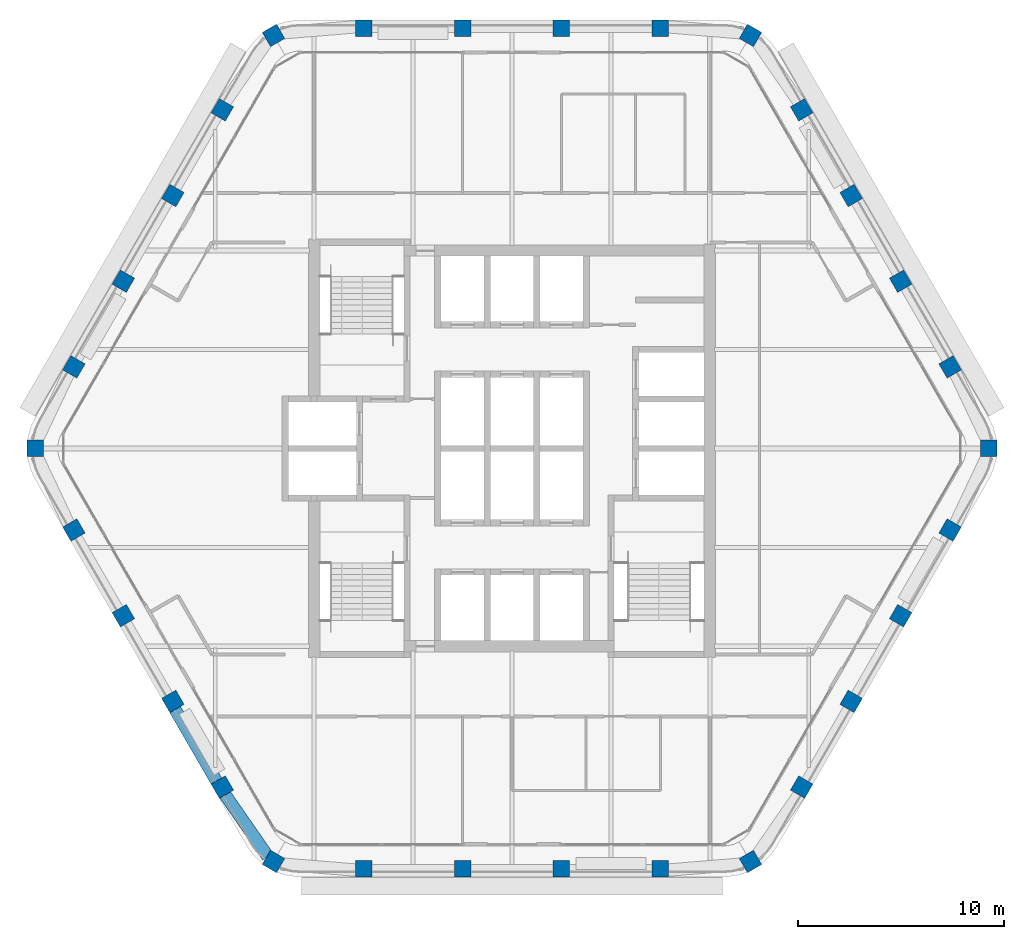
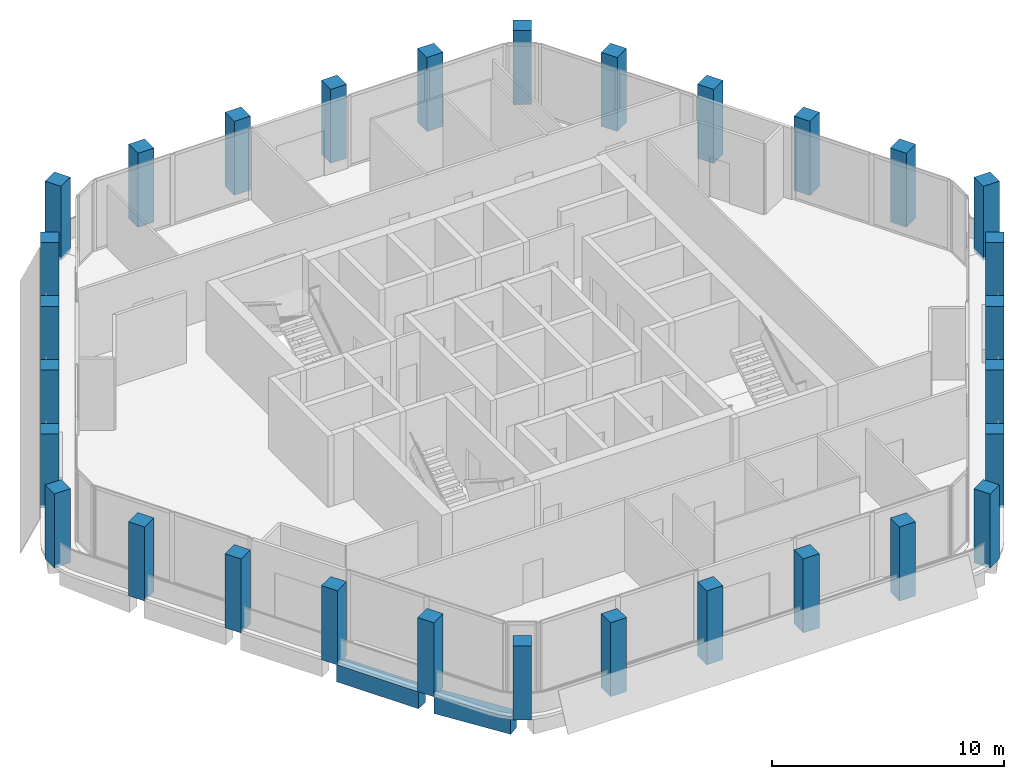
# One storey, part 1 of 13: 30 columns, 2 beams.
"""IFC4 building model written with IfcOpenShell, lengths in metres."""

from ifc_helpers import new_model, si_unit, direction, frame, origin, origin_2d, place, context, subcontext, project, spatial, rectangle, extrude, material, material_profile, profile_set, type_object, element, save


model = new_model("IFC4")

# Units and contexts
model_context = context("Model", 3, precision=1e-05, world=origin(), true_north=direction((0.0, 1.0)))
body_context = subcontext(model_context, "Body", "Model", "MODEL_VIEW")
ifc_project = project(units=[si_unit("LENGTHUNIT", "METRE"), si_unit("AREAUNIT", "SQUARE_METRE"), si_unit("VOLUMEUNIT", "CUBIC_METRE"), si_unit("PLANEANGLEUNIT", "RADIAN"), si_unit("MASSUNIT", "GRAM", prefix="KILO")], contexts=[model_context])

# Site, building, storey
site_placement = place(None, origin())
site = spatial("IfcSite", under=ifc_project, at=site_placement, CompositionType="ELEMENT")
building_placement = place(site_placement, origin())
building = spatial("IfcBuilding", under=site, at=building_placement, Name="Kolab Exchange Tower", CompositionType="ELEMENT")
storey_placement = place(building_placement, frame((0.0, 0.0, 257.89990234375)))
storey = spatial("IfcBuildingStorey", under=building, at=storey_placement, Name="L57", CompositionType="ELEMENT", Elevation=257.89990234375)

# Columns
ifc_material = material(Name="Concrete C50/60", Category="concrete")
ifc_material_profile_1 = material_profile(ifc_material, rectangle(XDim=0.800048828125, YDim=0.800048828125, at=origin_2d()), Name="RC800")
ifc_profile_set_1 = profile_set([ifc_material_profile_1], Name="Concrete C50/60")
column_type = type_object("IfcColumnType", Name="PERIMETER COLUMN 800 SQ C50/60", PredefinedType="COLUMN", material=ifc_profile_set_1)
for number, where, z_axis, x_axis, name in (
    (1, (-11.56787109375, 20.036376953125, -0.14990234375), (0.0, 0.0, 1.0), (0.866025403784, 0.5, 0.0), "col/L57/F1-01"),
    (2, (-7.199951171875, 20.384521484375, -0.14990234375), (0.0, 0.0, 1.0), (1.0, 0.0, 0.0), "col/L57/F1-02"),
    (3, (-2.39990234375, 20.384521484375, -0.14990234375), (0.0, 0.0, 1.0), (1.0, 0.0, 0.0), "col/L57/F1-03"),
    (4, (2.39990234375, 20.384521484375, -0.14990234375), (0.0, 0.0, 1.0), (1.0, 0.0, 0.0), "col/L57/F1-04"),
    (5, (7.199951171875, 20.384521484375, -0.14990234375), (0.0, 0.0, 1.0), (1.0, 0.0, 0.0), "col/L57/F1-05"),
    (6, (11.56787109375, 20.036376953125, -0.14990234375), (0.0, 0.0, 1.0), (0.5, 0.866025403784, 0.0), "col/L57/F2-01"),
    (7, (14.0537109375, 16.427734375, -0.14990234375), (0.0, 0.0, 1.0), (0.866025403784, 0.5, 0.0), "col/L57/F2-02"),
    (8, (16.45361328125, 12.270751953125, -0.14990234375), (0.0, 0.0, 1.0), (0.866025403784, 0.5, 0.0), "col/L57/F2-03"),
    (9, (18.853515625, 8.11376953125, -0.14990234375), (0.0, 0.0, 1.0), (0.866025403784, 0.5, 0.0), "col/L57/F2-04"),
    (10, (21.253662109375, 3.95703125, -0.14990234375), (0.0, 0.0, 1.0), (0.866025403784, 0.5, 0.0), "col/L57/F2-05"),
    (11, (23.135986328125, 0.0, -0.14990234375), (0.0, 0.0, 1.0), (1.0, 0.0, 0.0), "col/L57/F3-01"),
    (12, (21.253662109375, -3.95703125, -0.14990234375), (0.0, 0.0, 1.0), (0.5, 0.866025403784, 0.0), "col/L57/F3-02"),
    (13, (18.853515625, -8.11376953125, -0.14990234375), (0.0, 0.0, 1.0), (0.5, 0.866025403784, 0.0), "col/L57/F3-03"),
    (14, (16.45361328125, -12.270751953125, -0.14990234375), (0.0, 0.0, 1.0), (0.5, 0.866025403784, 0.0), "col/L57/F3-04"),
    (15, (14.0537109375, -16.427734375, -0.14990234375), (0.0, 0.0, 1.0), (0.5, 0.866025403784, 0.0), "col/L57/F3-05"),
    (16, (11.56787109375, -20.036376953125, -0.14990234375), (0.0, 0.0, 1.0), (0.866025403784, 0.5, 0.0), "col/L57/F4-01"),
    (17, (7.199951171875, -20.384521484375, -0.14990234375), (0.0, 0.0, 1.0), (1.0, 0.0, 0.0), "col/L57/F4-02"),
    (18, (2.39990234375, -20.384521484375, -0.14990234375), (0.0, 0.0, 1.0), (1.0, 0.0, 0.0), "col/L57/F4-03"),
    (19, (-2.39990234375, -20.384521484375, -0.14990234375), (0.0, 0.0, 1.0), (1.0, 0.0, 0.0), "col/L57/F4-04"),
    (20, (-7.199951171875, -20.384521484375, -0.14990234375), (0.0, 0.0, 1.0), (1.0, 0.0, 0.0), "col/L57/F4-05"),
    (21, (-11.56787109375, -20.036376953125, -0.14990234375), (0.0, 0.0, 1.0), (0.5, 0.866025403784, 0.0), "col/L57/F5-01"),
    (22, (-14.0537109375, -16.427734375, -0.14990234375), (0.0, 0.0, 1.0), (0.866025403784, 0.5, 0.0), "col/L57/F5-02"),
    (23, (-16.45361328125, -12.270751953125, -0.14990234375), (0.0, 0.0, 1.0), (0.866025403784, 0.5, 0.0), "col/L57/F5-03"),
    (24, (-18.853515625, -8.11376953125, -0.14990234375), (0.0, 0.0, 1.0), (0.866025403784, 0.5, 0.0), "col/L57/F5-04"),
    (25, (-21.253662109375, -3.95703125, -0.14990234375), (0.0, 0.0, 1.0), (0.866025403784, 0.5, 0.0), "col/L57/F5-05"),
    (26, (-23.135986328125, 0.0, -0.14990234375), (0.0, 0.0, 1.0), (1.0, 0.0, 0.0), "col/L57/F6-01"),
    (27, (-21.253662109375, 3.95703125, -0.14990234375), (0.0, 0.0, 1.0), (0.5, 0.866025403784, 0.0), "col/L57/F6-02"),
    (28, (-18.853515625, 8.11376953125, -0.14990234375), (0.0, 0.0, 1.0), (0.5, 0.866025403784, 0.0), "col/L57/F6-03"),
    (29, (-16.45361328125, 12.270751953125, -0.14990234375), (0.0, 0.0, 1.0), (0.5, 0.866025403784, 0.0), "col/L57/F6-04"),
    (30, (-14.0537109375, 16.427734375, -0.14990234375), (0.0, 0.0, 1.0), (0.5, 0.866025403784, 0.0), "col/L57/F6-05"),
):
    element("IfcColumn", number, at=place(storey_placement, frame(where, z_axis=z_axis, x_axis=x_axis)), inside=storey, type_object=column_type, Name=name, PredefinedType="COLUMN", context=body_context, shape_type="SweptSolid", body=[
        extrude(rectangle(XDim=0.800048828125, YDim=0.800048828125, at=origin_2d()), origin(), (0.0, 0.0, 1.0), 3.89990234375),
    ])

# Beams
ifc_material_profile_2 = material_profile(ifc_material, rectangle(XDim=0.60009765625, YDim=0.89990234375, at=origin_2d()), Name="RC600X900")
ifc_profile_set_2 = profile_set([ifc_material_profile_2], Name="Concrete C50/60")
beam_type = type_object("IfcBeamType", Name="SPANDREL BEAM 600X900 C50/60", PredefinedType="BEAM", material=ifc_profile_set_2)
beam_1_placement = place(storey_placement, frame((-11.846923828125, -19.7919921875, -0.599853515625), z_axis=(-0.569005808573, 0.822333502789, 0.0), x_axis=(-0.822333502789, -0.569005808573, 0.0)))
element("IfcBeam", 31, at=beam_1_placement, inside=storey, type_object=beam_type, Name="beam/L57/sp/F5-01", PredefinedType="BEAM", context=body_context, shape_type="SweptSolid", body=[
    extrude(rectangle(XDim=0.60009765625, YDim=0.89990234375, at=origin_2d()), origin(), (0.0, 0.0, 1.0), 3.6689453125),
])
beam_2_placement = place(storey_placement, frame((-14.3203125, -16.166015625, -0.599853515625), z_axis=(-0.499955548806, 0.866051066172, 0.0), x_axis=(-0.866051066172, -0.499955548806, 0.0)))
element("IfcBeam", 32, at=beam_2_placement, inside=storey, type_object=beam_type, Name="beam/L57/sp/F5-02", PredefinedType="BEAM", context=body_context, shape_type="SweptSolid", body=[
    extrude(rectangle(XDim=0.60009765625, YDim=0.89990234375, at=origin_2d()), origin(), (0.0, 0.0, 1.0), 4.079833984375),
])

save(model, "model.ifc")
